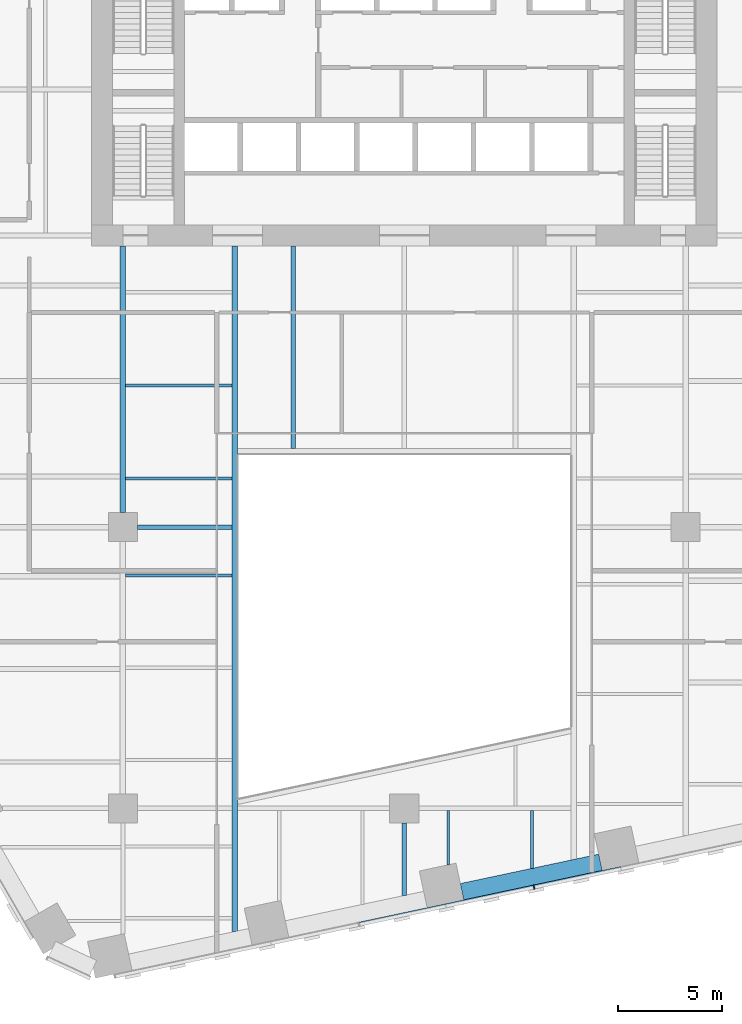
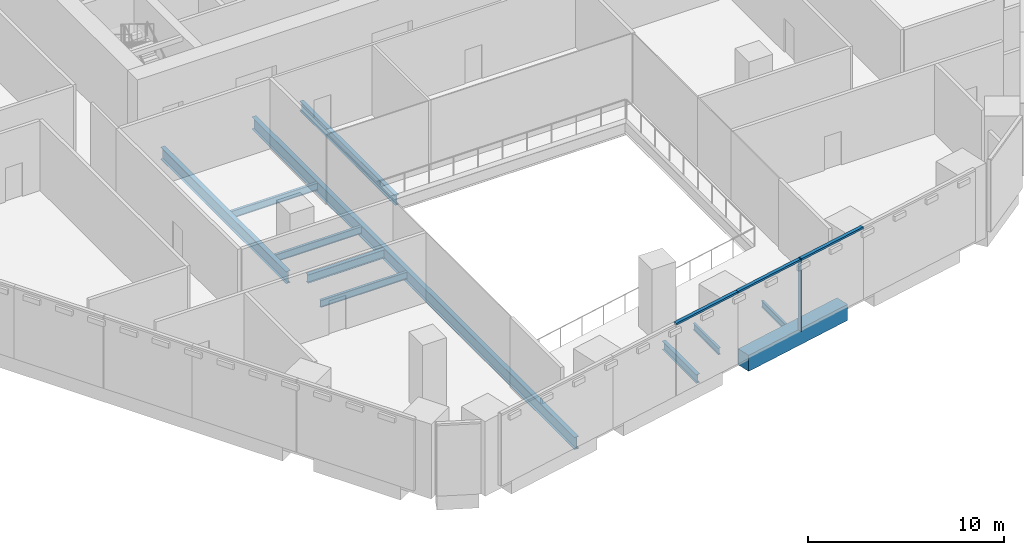
# One storey, part 4 of 19: 11 beams, 4 members, 1 element without a shape of its own.
"""IFC4 building model written with IfcOpenShell, lengths in metres."""

from ifc_helpers import new_model, si_unit, direction, frame, origin, origin_2d, place, context, subcontext, project, spatial, rectangle, i_section, extrude, material, layer, layer_set, material_profile, profile_set, type_object, element, aggregate, save


model = new_model("IFC4")

# Units and contexts
model_context = context("Model", 3, precision=1e-05, world=origin(), true_north=direction((0.0, 1.0)))
body_context = subcontext(model_context, "Body", "Model", "MODEL_VIEW")
ifc_project = project(units=[si_unit("LENGTHUNIT", "METRE"), si_unit("AREAUNIT", "SQUARE_METRE"), si_unit("VOLUMEUNIT", "CUBIC_METRE"), si_unit("PLANEANGLEUNIT", "RADIAN"), si_unit("MASSUNIT", "GRAM", prefix="KILO")], contexts=[model_context])

# Site, building, storey
site_placement = place(None, origin())
site = spatial("IfcSite", under=ifc_project, at=site_placement, CompositionType="ELEMENT")
building_placement = place(site_placement, origin())
building = spatial("IfcBuilding", under=site, at=building_placement, Name="Isthmus Gate Tower", CompositionType="ELEMENT")
storey_placement = place(building_placement, frame((0.0, 0.0, 76.14990234375)))
storey = spatial("IfcBuildingStorey", under=building, at=storey_placement, Name="L17", CompositionType="ELEMENT", Elevation=76.14990234375)

# Curtain wall, members
ifc_material_1 = material(Name="Aluminium, pale champagne anodised", Category="aluminium")
ifc_layer = layer(ifc_material_1, 0.199951171875)
ifc_layer_set = layer_set([ifc_layer], Name="CW-2 LOUVRE CURTAIN WALL 200 DEEP")
curtain_wall_type = type_object("IfcCurtainWallType", Name="CW-2 LOUVRE CURTAIN WALL 200 DEEP", PredefinedType="NOTDEFINED", material=ifc_layer_set)
curtain_wall_placement = place(storey_placement, origin())
curtain_wall = element("IfcCurtainWall", 1, at=curtain_wall_placement, inside=storey, type_object=curtain_wall_type, Name="CW-2 S L17", PredefinedType="NOTDEFINED")
ifc_material_2 = material(Name="Aluminium, pale champagne anodised", Category="aluminium")
ifc_material_profile_1 = material_profile(ifc_material_2, rectangle(XDim=0.06005859375, YDim=0.199951171875, at=origin_2d()), Name="60x200")
ifc_profile_set_1 = profile_set([ifc_material_profile_1], Name="Aluminium, pale champagne anodised")
member_type_1 = type_object("IfcMemberType", Name="CW-2 MULLION 60 X 200", PredefinedType="MULLION", material=ifc_profile_set_1)
member_1_placement = place(storey_placement, frame((6.228759765625, -30.7783203125, 0.0), z_axis=(0.0, 0.0, 1.0), x_axis=(0.978147600734, 0.207911690818, 0.0)))
member_1 = element("IfcMember", 2, at=member_1_placement, type_object=member_type_1, Name="CW-2 mullion", PredefinedType="MULLION", context=body_context, shape_type="SweptSolid", body=[
    extrude(rectangle(XDim=0.06005859375, YDim=0.199951171875, at=origin_2d()), origin(), (0.0, 0.0, 1.0), 4.5),
])
ifc_material_3 = material(Name="Aluminium, pale champagne anodised", Category="aluminium")
ifc_material_profile_2 = material_profile(ifc_material_3, rectangle(XDim=0.199951171875, YDim=0.1201171875, at=origin_2d()), Name="200x120")
ifc_profile_set_2 = profile_set([ifc_material_profile_2], Name="Aluminium, pale champagne anodised")
member_type_2 = type_object("IfcMemberType", Name="CW-2 TRANSOM 200 X 120", PredefinedType="USERDEFINED", material=ifc_profile_set_2)
member_2_placement = place(storey_placement, frame((-2.1435546875, -32.557861328125, 4.440185546875), z_axis=(0.978150351608, 0.20789874855, 0.0), x_axis=(-0.20789874855, 0.978150351608, 0.0)))
member_2 = element("IfcMember", 3, at=member_2_placement, type_object=member_type_2, Name="CW-2 transom", ObjectType="TRANSOM", PredefinedType="USERDEFINED", context=body_context, shape_type="SweptSolid", body=[
    extrude(rectangle(XDim=0.199951171875, YDim=0.1201171875, at=origin_2d()), origin(), (0.0, 0.0, 1.0), 4.234619140625),
])
member_3_placement = place(storey_placement, frame((1.99853515625, -31.677490234375, 4.440185546875), z_axis=(0.97813890815, 0.207952582007, 0.0), x_axis=(-0.207952582007, 0.97813890815, 0.0)))
member_3 = element("IfcMember", 4, at=member_3_placement, type_object=member_type_2, Name="CW-2 transom", ObjectType="TRANSOM", PredefinedType="USERDEFINED", context=body_context, shape_type="SweptSolid", body=[
    extrude(rectangle(XDim=0.199951171875, YDim=0.1201171875, at=origin_2d()), origin(), (0.0, 0.0, 1.0), 4.294677734375),
])
member_4_placement = place(storey_placement, frame((6.258056640625, -30.77197265625, 4.440185546875), z_axis=(0.978150351608, 0.20789874855, 0.0), x_axis=(-0.20789874855, 0.978150351608, 0.0)))
member_4 = element("IfcMember", 5, at=member_4_placement, type_object=member_type_2, Name="CW-2 transom", ObjectType="TRANSOM", PredefinedType="USERDEFINED", context=body_context, shape_type="SweptSolid", body=[
    extrude(rectangle(XDim=0.199951171875, YDim=0.1201171875, at=origin_2d()), origin(), (0.0, 0.0, 1.0), 4.234619140625),
])
aggregate(curtain_wall, [member_2, member_3, member_1, member_4])

# Beams
ifc_material_4 = material(Name="Concrete f'c 70 MPa", Category="concrete")
ifc_material_profile_3 = material_profile(ifc_material_4, rectangle(XDim=0.800048828125, YDim=1.0, at=origin_2d()), Name="RC 800X1000")
ifc_profile_set_3 = profile_set([ifc_material_profile_3], Name="Concrete f'c 70 MPa")
beam_type_1 = type_object("IfcBeamType", Name="RC SPANDREL 800 X 1000", PredefinedType="SPANDREL", material=ifc_profile_set_3)
beam_1_placement = place(storey_placement, frame((9.415771484375, -29.589599609375, -0.5), z_axis=(-0.978145779981, -0.207920256603, 0.0), x_axis=(0.207920256603, -0.978145779981, 0.0)))
element("IfcBeam", 6, at=beam_1_placement, inside=storey, type_object=beam_type_1, Name="str-spandrel-L17-11", PredefinedType="SPANDREL", context=body_context, shape_type="SweptSolid", body=[
    extrude(rectangle(XDim=0.800048828125, YDim=1.0, at=origin_2d()), origin(), (0.0, 0.0, 1.0), 6.789306640625),
])
ifc_material_5 = material(Name="Structural steel ASTM A992 Gr 50", Category="steel")
ifc_material_profile_4 = material_profile(ifc_material_5, i_section(OverallWidth=0.1396484375, OverallDepth=0.4033203125, WebThickness=0.00634765625, FlangeThickness=0.010986328125, at=origin_2d()), Name="W16X31")
ifc_profile_set_4 = profile_set([ifc_material_profile_4], Name="Structural steel ASTM A992 Gr 50")
beam_type_2 = type_object("IfcBeamType", Name="STEEL FLOOR BEAM W16X31", PredefinedType="JOIST", material=ifc_profile_set_4)
beam_2_placement = place(storey_placement, frame((2.111572265625, -29.7109375, -0.50146484375), z_axis=(0.0, 1.0, 0.0), x_axis=(-1.0, 0.0, 0.0)))
element("IfcBeam", 7, at=beam_2_placement, inside=storey, type_object=beam_type_2, Name="str-beam-L17-18-00", PredefinedType="JOIST", context=body_context, shape_type="SweptSolid", body=[
    extrude(i_section(OverallWidth=0.1396484375, OverallDepth=0.4033203125, WebThickness=0.00634765625, FlangeThickness=0.010986328125, at=origin_2d()), origin(), (0.0, 0.0, 1.0), 2.5966796875),
])
beam_3_placement = place(storey_placement, frame((6.125, -29.880126953125, -0.50146484375), z_axis=(0.0, 1.0, 0.0), x_axis=(-1.0, 0.0, 0.0)))
element("IfcBeam", 8, at=beam_3_placement, inside=storey, type_object=beam_type_2, Name="str-beam-L17-18-01", PredefinedType="JOIST", context=body_context, shape_type="SweptSolid", body=[
    extrude(i_section(OverallWidth=0.1396484375, OverallDepth=0.4033203125, WebThickness=0.00634765625, FlangeThickness=0.010986328125, at=origin_2d()), origin(), (0.0, 0.0, 1.0), 2.765869140625),
])
ifc_material_6 = material(Name="Structural steel ASTM A992 Gr 50", Category="steel")
ifc_material_profile_5 = material_profile(ifc_material_6, i_section(OverallWidth=0.15234375, OverallDepth=0.45068359375, WebThickness=0.0078125, FlangeThickness=0.010986328125, at=origin_2d()), Name="W18X35")
ifc_profile_set_5 = profile_set([ifc_material_profile_5], Name="Structural steel ASTM A992 Gr 50")
beam_type_3 = type_object("IfcBeamType", Name="STEEL FLOOR BEAM W18X35", PredefinedType="JOIST", material=ifc_profile_set_5)
for number, where, z_axis, x_axis, name in (
    (9, (-13.3681640625, -11.16259765625, -0.525390625), (1.0, 0.0, 0.0), (0.0, 1.0, 0.0), "str-beam-L17-11-00"),
    (10, (-13.3681640625, -6.697509765625, -0.525390625), (1.0, 0.0, 0.0), (0.0, 1.0, 0.0), "str-beam-L17-11-01"),
    (11, (-13.3681640625, -15.81982421875, -0.525390625), (1.0, 0.0, 0.0), (0.0, 1.0, 0.0), "str-beam-L17-12-02"),
):
    element("IfcBeam", number, at=place(storey_placement, frame(where, z_axis=z_axis, x_axis=x_axis)), inside=storey, type_object=beam_type_3, Name=name, PredefinedType="JOIST", context=body_context, shape_type="SweptSolid", body=[
        extrude(i_section(OverallWidth=0.15234375, OverallDepth=0.45068359375, WebThickness=0.0078125, FlangeThickness=0.010986328125, at=origin_2d()), origin(), (0.0, 0.0, 1.0), 5.1015625),
    ])
ifc_material_7 = material(Name="Structural steel ASTM A992 Gr 50", Category="steel")
ifc_material_profile_6 = material_profile(ifc_material_7, i_section(OverallWidth=0.228515625, OverallDepth=0.603271484375, WebThickness=0.010986328125, FlangeThickness=0.014404296875, at=origin_2d()), Name="W24X68")
ifc_profile_set_6 = profile_set([ifc_material_profile_6], Name="Structural steel ASTM A992 Gr 50")
beam_type_4 = type_object("IfcBeamType", Name="STEEL FLOOR BEAM W24X68", PredefinedType="JOIST", material=ifc_profile_set_6)
beam_4_placement = place(storey_placement, frame((-5.333251953125, -9.7333984375, -0.6015625), z_axis=(0.0, 1.0, 0.0), x_axis=(-1.0, 0.0, 0.0)))
element("IfcBeam", 12, at=beam_4_placement, inside=storey, type_object=beam_type_4, Name="str-beam-L17-16-00", PredefinedType="JOIST", context=body_context, shape_type="SweptSolid", body=[
    extrude(i_section(OverallWidth=0.228515625, OverallDepth=0.603271484375, WebThickness=0.010986328125, FlangeThickness=0.014404296875, at=origin_2d()), origin(), (0.0, 0.0, 1.0), 9.7333984375),
])
ifc_material_8 = material(Name="Structural steel ASTM A992 Gr 50", Category="steel")
ifc_material_profile_7 = material_profile(ifc_material_8, i_section(OverallWidth=0.20947265625, OverallDepth=0.533447265625, WebThickness=0.009521484375, FlangeThickness=0.015869140625, at=origin_2d()), Name="W21X62")
ifc_profile_set_7 = profile_set([ifc_material_profile_7], Name="Structural steel ASTM A992 Gr 50")
beam_type_5 = type_object("IfcBeamType", Name="STEEL GIRDER W21X62", PredefinedType="BEAM", material=ifc_profile_set_7)
beam_5_placement = place(storey_placement, frame((-12.800048828125, -13.5, -0.566650390625), z_axis=(1.0, 0.0, 0.0), x_axis=(0.0, 1.0, 0.0)))
element("IfcBeam", 13, at=beam_5_placement, inside=storey, type_object=beam_type_5, Name="str-girder-L17-06", PredefinedType="BEAM", context=body_context, shape_type="SweptSolid", body=[
    extrude(i_section(OverallWidth=0.20947265625, OverallDepth=0.533447265625, WebThickness=0.009521484375, FlangeThickness=0.015869140625, at=origin_2d()), origin(), (0.0, 0.0, 1.0), 4.533447265625),
])
beam_6_placement = place(storey_placement, frame((0.0, -31.18212890625, -0.566650390625), z_axis=(0.0, 1.0, 0.0), x_axis=(-1.0, 0.0, 0.0)))
element("IfcBeam", 14, at=beam_6_placement, inside=storey, type_object=beam_type_5, Name="str-girder-L17-28", PredefinedType="BEAM", context=body_context, shape_type="SweptSolid", body=[
    extrude(i_section(OverallWidth=0.20947265625, OverallDepth=0.533447265625, WebThickness=0.009521484375, FlangeThickness=0.015869140625, at=origin_2d()), origin(), (0.0, 0.0, 1.0), 3.482177734375),
])
ifc_material_9 = material(Name="Structural steel ASTM A992 Gr 50", Category="steel")
ifc_material_profile_8 = material_profile(ifc_material_9, i_section(OverallWidth=0.263427734375, OverallDepth=0.749267578125, WebThickness=0.0126953125, FlangeThickness=0.015869140625, at=origin_2d()), Name="W30X90")
ifc_profile_set_8 = profile_set([ifc_material_profile_8], Name="Structural steel ASTM A992 Gr 50")
beam_type_6 = type_object("IfcBeamType", Name="STEEL GIRDER W30X90", PredefinedType="BEAM", material=ifc_profile_set_8)
beam_7_placement = place(storey_placement, frame((-13.5, -12.800048828125, -0.674560546875), z_axis=(0.0, 1.0, 0.0), x_axis=(-1.0, 0.0, 0.0)))
element("IfcBeam", 15, at=beam_7_placement, inside=storey, type_object=beam_type_6, Name="str-girder-L17-25", PredefinedType="BEAM", context=body_context, shape_type="SweptSolid", body=[
    extrude(i_section(OverallWidth=0.263427734375, OverallDepth=0.749267578125, WebThickness=0.0126953125, FlangeThickness=0.015869140625, at=origin_2d()), origin(), (0.0, 0.0, 1.0), 12.800048828125),
])
ifc_material_10 = material(Name="Structural steel ASTM A992 Gr 50", Category="steel")
ifc_material_profile_9 = material_profile(ifc_material_10, i_section(OverallWidth=0.2666015625, OverallDepth=0.7587890625, WebThickness=0.014404296875, FlangeThickness=0.01904296875, at=origin_2d()), Name="W30X108")
ifc_profile_set_9 = profile_set([ifc_material_profile_9], Name="Structural steel ASTM A992 Gr 50")
beam_type_7 = type_object("IfcBeamType", Name="STEEL TRIMMER W30X108", PredefinedType="BEAM", material=ifc_profile_set_9)
beam_8_placement = place(storey_placement, frame((-8.13330078125, 0.0, -0.67919921875), z_axis=(0.0, -1.0, 0.0), x_axis=(1.0, 0.0, 0.0)))
element("IfcBeam", 16, at=beam_8_placement, inside=storey, type_object=beam_type_7, Name="str-trimmer-L17-02", PredefinedType="BEAM", context=body_context, shape_type="SweptSolid", body=[
    extrude(i_section(OverallWidth=0.2666015625, OverallDepth=0.7587890625, WebThickness=0.014404296875, FlangeThickness=0.01904296875, at=origin_2d()), origin(), (0.0, 0.0, 1.0), 32.910888671875),
])

save(model, "model.ifc")
